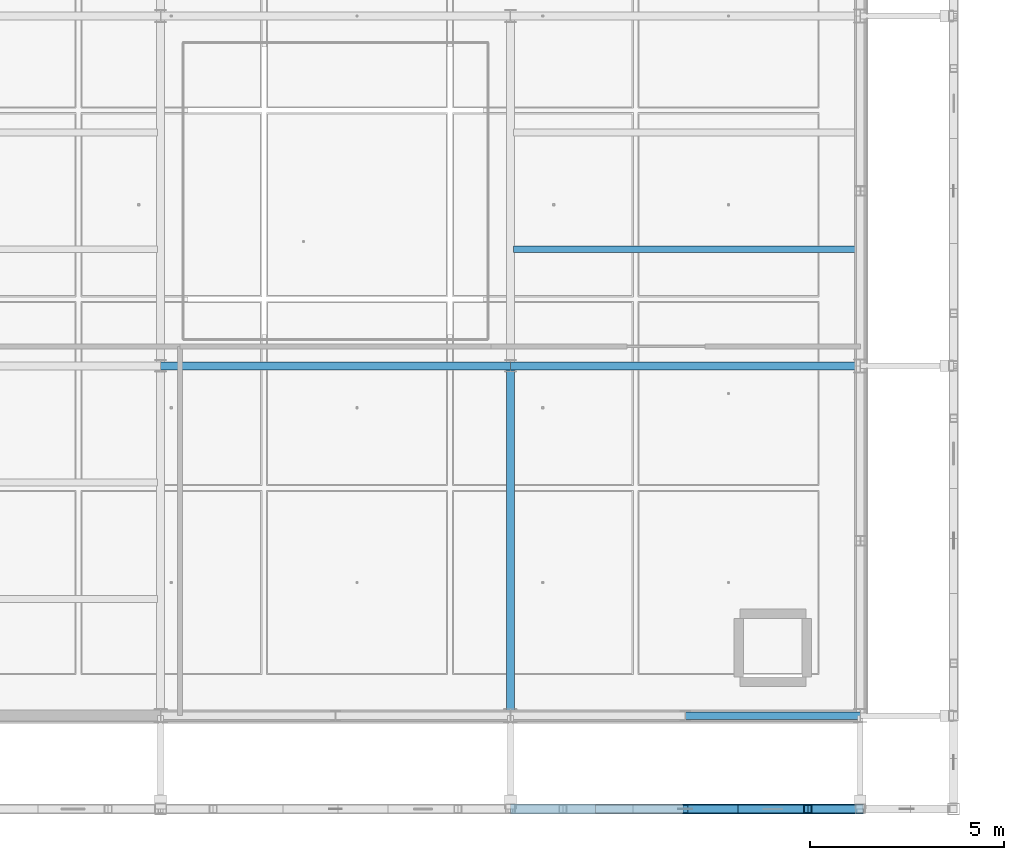
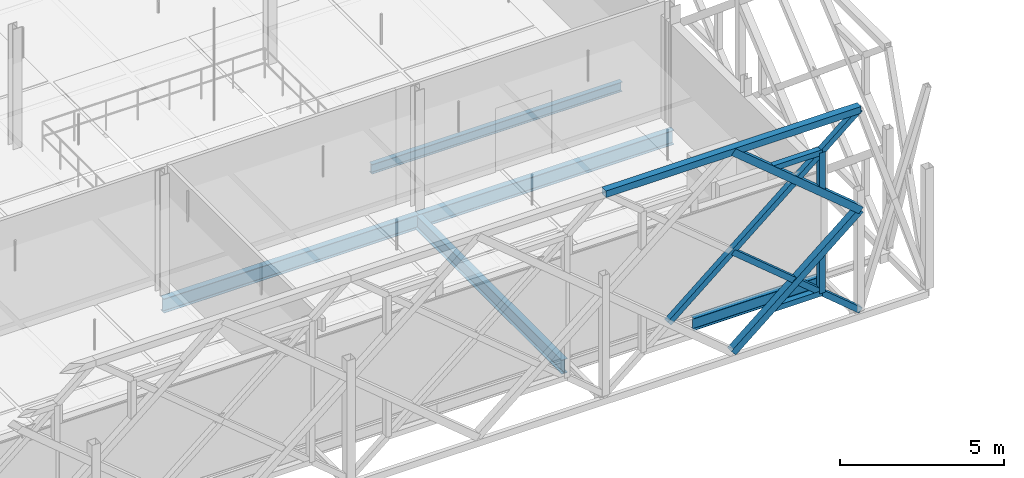
# One storey, part 19 of 66: 11 members, 5 beams.
"""IFC4 building model written with IfcOpenShell, lengths in metres."""

from ifc_helpers import new_model, si_unit, direction, frame, origin, origin_2d, place, context, subcontext, project, spatial, hollow_rectangle, i_section, extrude, material, material_profile, profile_set, type_object, element, save


model = new_model("IFC4")

# Units and contexts
model_context = context("Model", 3, precision=1e-05, world=origin(), true_north=direction((0.0, 1.0)))
body_context = subcontext(model_context, "Body", "Model", "MODEL_VIEW")
ifc_project = project(units=[si_unit("LENGTHUNIT", "METRE"), si_unit("AREAUNIT", "SQUARE_METRE"), si_unit("VOLUMEUNIT", "CUBIC_METRE"), si_unit("PLANEANGLEUNIT", "RADIAN"), si_unit("MASSUNIT", "GRAM", prefix="KILO"), si_unit("THERMODYNAMICTEMPERATUREUNIT", "KELVIN"), si_unit("POWERUNIT", "WATT")], contexts=[model_context])

# Site, building, storey
site_placement = place(None, origin())
site = spatial("IfcSite", under=ifc_project, at=site_placement, CompositionType="ELEMENT")
building_placement = place(site_placement, origin())
building = spatial("IfcBuilding", under=site, at=building_placement, Name="Tallowbark Science Centre", CompositionType="ELEMENT")
storey_placement = place(building_placement, frame((0.0, 0.0, 18.89990234375)))
storey = spatial("IfcBuildingStorey", under=building, at=storey_placement, Name="L04", CompositionType="ELEMENT", Elevation=18.89990234375)

# Beams
ifc_material_1 = material(Name="Structural Steel Grade 300PLUS (300 MPa)", Category="steel")
ifc_material_profile_1 = material_profile(ifc_material_1, i_section(OverallWidth=0.208984375, OverallDepth=0.532958984375, WebThickness=0.01025390625, FlangeThickness=0.015625, FilletRadius=0.013916015625, at=origin_2d()), Name="530UB92.4")
ifc_profile_set_1 = profile_set([ifc_material_profile_1], Name="Structural Steel Grade 300PLUS (300 MPa)")
beam_type_1 = type_object("IfcBeamType", Name="BM-UB530A", PredefinedType="BEAM", material=ifc_profile_set_1)
for number, where, z_axis, x_axis, name in (
    (1, (85.5, 13.5, -0.4462890625), (1.0, 0.0, 0.0), (0.0, 1.0, 0.0), "Primary Girder GRDX-L04-855-945-135"),
    (2, (94.5, 13.5, -0.4462890625), (1.0, 0.0, 0.0), (0.0, 1.0, 0.0), "Primary Girder GRDX-L04-945-1035-135"),
):
    element("IfcBeam", number, at=place(storey_placement, frame(where, z_axis=z_axis, x_axis=x_axis)), inside=storey, type_object=beam_type_1, Name=name, PredefinedType="BEAM", context=body_context, shape_type="SweptSolid", body=[
        extrude(i_section(OverallWidth=0.208984375, OverallDepth=0.532958984375, WebThickness=0.01025390625, FlangeThickness=0.015625, FilletRadius=0.013916015625, at=origin_2d()), origin(), (0.0, 0.0, 1.0), 9.0),
    ])
ifc_material_profile_2 = material_profile(ifc_material_1, i_section(OverallWidth=0.208740234375, OverallDepth=0.5283203125, WebThickness=0.009521484375, FlangeThickness=0.01318359375, FilletRadius=0.013916015625, at=origin_2d()), Name="530UB82.0")
ifc_profile_set_2 = profile_set([ifc_material_profile_2], Name="Structural Steel Grade 300PLUS (300 MPa)")
beam_type_2 = type_object("IfcBeamType", Name="BM-UB530B", PredefinedType="BEAM", material=ifc_profile_set_2)
beam_1_placement = place(storey_placement, frame((94.5, 4.5, -0.444091796875), z_axis=(0.0, 1.0, 0.0), x_axis=(-1.0, 0.0, 0.0)))
element("IfcBeam", 3, at=beam_1_placement, inside=storey, type_object=beam_type_2, Name="Primary Girder GRDY-L04-945-45-135", PredefinedType="BEAM", context=body_context, shape_type="SweptSolid", body=[
    extrude(i_section(OverallWidth=0.208740234375, OverallDepth=0.5283203125, WebThickness=0.009521484375, FlangeThickness=0.01318359375, FilletRadius=0.013916015625, at=origin_2d()), origin(), (0.0, 0.0, 1.0), 9.0),
])
ifc_material_profile_3 = material_profile(ifc_material_1, i_section(OverallWidth=0.172119140625, OverallDepth=0.358642578125, WebThickness=0.008056640625, FlangeThickness=0.012939453125, FilletRadius=0.011474609375, at=origin_2d()), Name="360UB56.7")
ifc_profile_set_3 = profile_set([ifc_material_profile_3], Name="Structural Steel Grade 300PLUS (300 MPa)")
beam_type_3 = type_object("IfcBeamType", Name="JST-UB360", PredefinedType="JOIST", material=ifc_profile_set_3)
beam_2_placement = place(storey_placement, frame((94.5849609375, 16.5, -0.359130859375), z_axis=(1.0, 0.0, 0.0), x_axis=(0.0, 1.0, 0.0)))
element("IfcBeam", 4, at=beam_2_placement, inside=storey, type_object=beam_type_3, Name="Composite Floor Joist JSTX-L04-945-165", PredefinedType="JOIST", context=body_context, shape_type="SweptSolid", body=[
    extrude(i_section(OverallWidth=0.172119140625, OverallDepth=0.358642578125, WebThickness=0.008056640625, FlangeThickness=0.012939453125, FilletRadius=0.011474609375, at=origin_2d()), origin(), (0.0, 0.0, 1.0), 8.830078125),
])

# Members
ifc_material_2 = material(Name="White Architectural Painted Steel Grade C350L0 (350 MPa)", Category="steel")
ifc_material_profile_4 = material_profile(ifc_material_2, hollow_rectangle(XDim=0.25, YDim=0.25, WallThickness=0.009033203125, at=origin_2d()), Name="250x250x9.0SHS")
ifc_profile_set_4 = profile_set([ifc_material_profile_4], Name="White Architectural Painted Steel Grade C350L0 (350 MPa)")
member_type_1 = type_object("IfcMemberType", Name="SCR-CHD200", PredefinedType="CHORD", material=ifc_profile_set_4)
member_1_placement = place(storey_placement, frame((94.5, 2.10009765625, 7.5), z_axis=(1.0, 0.0, 0.0), x_axis=(0.0, 1.0, 0.0)))
element("IfcMember", 5, at=member_1_placement, inside=storey, type_object=member_type_1, Name="Star Screen Frame Chord S-44", PredefinedType="CHORD", context=body_context, shape_type="SweptSolid", body=[
    extrude(hollow_rectangle(XDim=0.25, YDim=0.25, WallThickness=0.009033203125, at=origin_2d()), origin(), (0.0, 0.0, 1.0), 9.0),
])
for number, where, z_axis, x_axis, name in (
    (6, (99.0, 2.10009765625, 0.0), (0.768221279597, 0.0, 0.640184399664), (0.0, 1.0, 0.0), "Star Screen Octagram Diamond Chord S-44-1"),
    (7, (103.5, 2.10009765625, 3.75), (-0.768221279597, 0.0, 0.640184399664), (0.0, -1.0, 0.0), "Star Screen Octagram Diamond Chord S-44-2"),
):
    element("IfcMember", number, at=place(storey_placement, frame(where, z_axis=z_axis, x_axis=x_axis)), inside=storey, type_object=member_type_1, Name=name, PredefinedType="CHORD", context=body_context, shape_type="SweptSolid", body=[
        extrude(hollow_rectangle(XDim=0.25, YDim=0.25, WallThickness=0.009033203125, at=origin_2d()), origin(), (0.0, 0.0, 1.0), 5.857666015625),
    ])
ifc_material_profile_5 = material_profile(ifc_material_2, hollow_rectangle(XDim=0.199951171875, YDim=0.199951171875, WallThickness=0.009033203125, at=origin_2d()), Name="200x200x9.0SHS")
ifc_profile_set_5 = profile_set([ifc_material_profile_5], Name="White Architectural Painted Steel Grade C350L0 (350 MPa)")
member_type_2 = type_object("IfcMemberType", Name="SCR-STAR139", PredefinedType="BRACE", material=ifc_profile_set_5)
member_2_placement = place(storey_placement, frame((96.75, 2.10009765625, 1.875), z_axis=(0.768221279597, 0.0, 0.640184399664), x_axis=(0.0, 1.0, 0.0)))
element("IfcMember", 8, at=member_2_placement, inside=storey, type_object=member_type_2, Name="Star Screen Continuous X-Diagonal D1M S-44", PredefinedType="BRACE", context=body_context, shape_type="SweptSolid", body=[
    extrude(hollow_rectangle(XDim=0.199951171875, YDim=0.199951171875, WallThickness=0.009033203125, at=origin_2d()), origin(), (0.0, 0.0, 1.0), 5.857666015625),
])
for number, where, z_axis, x_axis, name in (
    (9, (101.25, 2.10009765625, 5.625), (0.768221279597, 0.0, 0.640184399664), (0.0, 1.0, 0.0), "Star Screen Continuous X-Diagonal D1B S-44"),
    (10, (99.0, 2.10009765625, 3.75), (0.768221279597, 0.0, -0.640184399664), (0.0, 1.0, 0.0), "Star Screen Split X-Diagonal D2C S-44"),
    (11, (101.25, 2.10009765625, 1.875), (0.768221279597, 0.0, -0.640184399664), (0.0, 1.0, 0.0), "Star Screen Split X-Diagonal D2D S-44"),
):
    element("IfcMember", number, at=place(storey_placement, frame(where, z_axis=z_axis, x_axis=x_axis)), inside=storey, type_object=member_type_2, Name=name, PredefinedType="BRACE", context=body_context, shape_type="SweptSolid", body=[
        extrude(hollow_rectangle(XDim=0.199951171875, YDim=0.199951171875, WallThickness=0.009033203125, at=origin_2d()), origin(), (0.0, 0.0, 1.0), 2.928955078125),
    ])
ifc_material_profile_6 = material_profile(ifc_material_2, hollow_rectangle(XDim=0.199951171875, YDim=0.199951171875, WallThickness=0.009033203125, at=origin_2d()), Name="200x200x9.0SHS")
ifc_profile_set_6 = profile_set([ifc_material_profile_6], Name="White Architectural Painted Steel Grade C350L0 (350 MPa)")
member_type_3 = type_object("IfcMemberType", Name="SCR-SUB150", PredefinedType="BRACE", material=ifc_profile_set_6)
member_3_placement = place(storey_placement, frame((102.14990234375, 2.10009765625, 1.125), z_axis=(-1.0, 0.0, 0.0), x_axis=(0.0, -1.0, 0.0)))
element("IfcMember", 12, at=member_3_placement, inside=storey, type_object=member_type_3, Name="Star Screen Octagram Point Ray S-44-3", PredefinedType="BRACE", context=body_context, shape_type="SweptSolid", body=[
    extrude(hollow_rectangle(XDim=0.199951171875, YDim=0.199951171875, WallThickness=0.009033203125, at=origin_2d()), origin(), (0.0, 0.0, 1.0), 1.7998046875),
])
member_4_placement = place(storey_placement, frame((102.14990234375, 2.10009765625, 1.125), z_axis=(0.0, 0.0, 1.0), x_axis=(1.0, 0.0, 0.0)))
element("IfcMember", 13, at=member_4_placement, inside=storey, type_object=member_type_3, Name="Star Screen Octagram Point Ray S-44-4", PredefinedType="BRACE", context=body_context, shape_type="SweptSolid", body=[
    extrude(hollow_rectangle(XDim=0.199951171875, YDim=0.199951171875, WallThickness=0.009033203125, at=origin_2d()), origin(), (0.0, 0.0, 1.0), 1.5),
])
member_5_placement = place(storey_placement, frame((102.14990234375, 2.10009765625, 6.375), z_axis=(-1.0, 0.0, 0.0), x_axis=(0.0, -1.0, 0.0)))
element("IfcMember", 14, at=member_5_placement, inside=storey, type_object=member_type_3, Name="Star Screen Octagram Point Ray S-44-5", PredefinedType="BRACE", context=body_context, shape_type="SweptSolid", body=[
    extrude(hollow_rectangle(XDim=0.199951171875, YDim=0.199951171875, WallThickness=0.009033203125, at=origin_2d()), origin(), (0.0, 0.0, 1.0), 1.7998046875),
])
member_6_placement = place(storey_placement, frame((102.14990234375, 2.10009765625, 6.375), z_axis=(0.0, 0.0, -1.0), x_axis=(1.0, 0.0, 0.0)))
element("IfcMember", 15, at=member_6_placement, inside=storey, type_object=member_type_3, Name="Star Screen Octagram Point Ray S-44-6", PredefinedType="BRACE", context=body_context, shape_type="SweptSolid", body=[
    extrude(hollow_rectangle(XDim=0.199951171875, YDim=0.199951171875, WallThickness=0.009033203125, at=origin_2d()), origin(), (0.0, 0.0, 1.0), 1.5),
])

# Beam
ifc_material_profile_7 = material_profile(ifc_material_1, i_section(OverallWidth=0.18994140625, OverallDepth=0.453857421875, WebThickness=0.008544921875, FlangeThickness=0.0126953125, FilletRadius=0.011474609375, at=origin_2d()), Name="460UB67.1")
ifc_profile_set_7 = profile_set([ifc_material_profile_7], Name="Structural Steel Grade 300PLUS (300 MPa)")
beam_type_4 = type_object("IfcBeamType", Name="SPN-UB460", PredefinedType="SPANDREL", material=ifc_profile_set_7)
beam_3_placement = place(storey_placement, frame((99.0, 4.5, -0.40673828125), z_axis=(1.0, 0.0, 0.0), x_axis=(0.0, 1.0, 0.0)))
element("IfcBeam", 16, at=beam_3_placement, inside=storey, type_object=beam_type_4, Name="Primary Girder GRDX-L04-990-1035-45", PredefinedType="SPANDREL", context=body_context, shape_type="SweptSolid", body=[
    extrude(i_section(OverallWidth=0.18994140625, OverallDepth=0.453857421875, WebThickness=0.008544921875, FlangeThickness=0.0126953125, FilletRadius=0.011474609375, at=origin_2d()), origin(), (0.0, 0.0, 1.0), 4.5),
])

save(model, "model.ifc")
